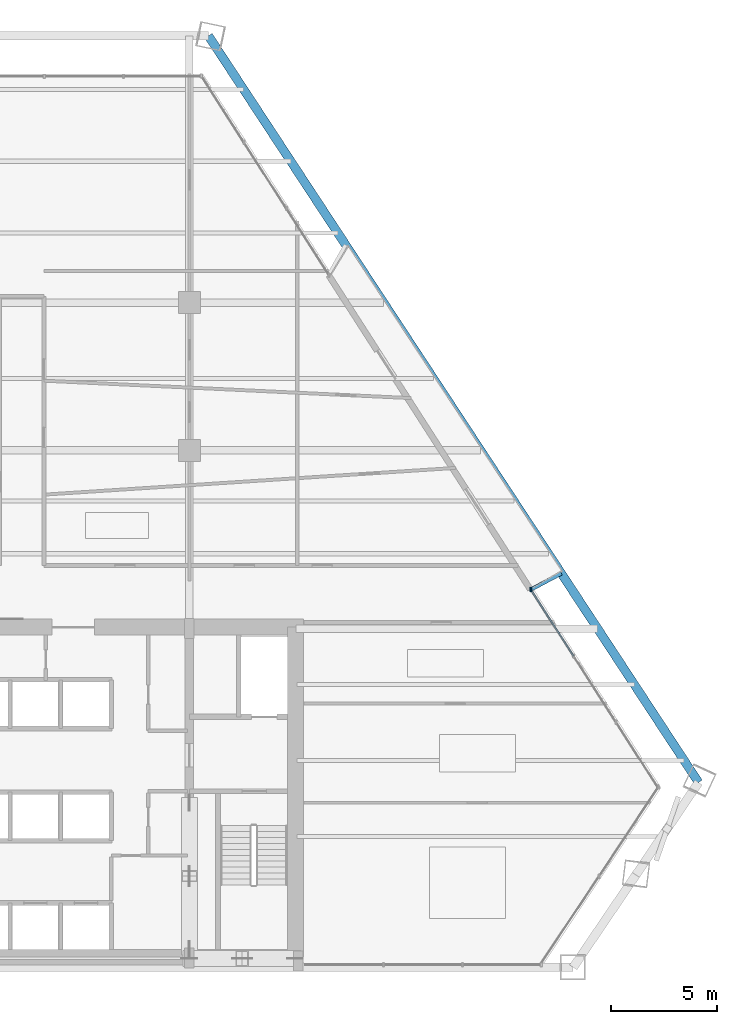
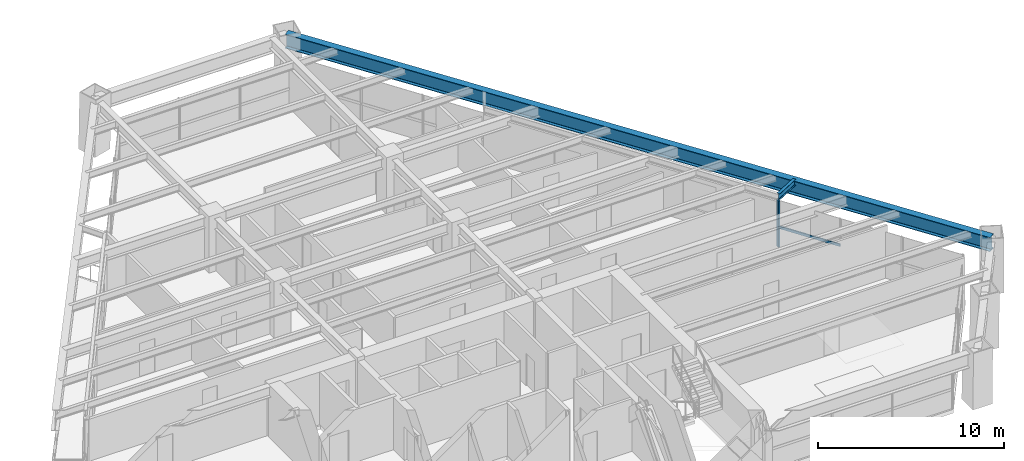
# One storey, part 7 of 14: 3 members, 2 beams, 1 element without a shape of its own.
"""IFC4 building model written with IfcOpenShell, lengths in metres."""

from ifc_helpers import new_model, si_unit, direction, frame, origin, origin_2d, place, context, subcontext, project, spatial, rectangle, i_section, extrude, source, transform, mapped, material, material_profile, profile_set, type_object, element, aggregate, save


model = new_model("IFC4")

# Units and contexts
model_context = context("Model", 3, precision=1e-05, world=origin(), true_north=direction((0.0, 1.0)))
body_context = subcontext(model_context, "Body", "Model", "MODEL_VIEW")
ifc_project = project(units=[si_unit("LENGTHUNIT", "METRE"), si_unit("AREAUNIT", "SQUARE_METRE"), si_unit("VOLUMEUNIT", "CUBIC_METRE"), si_unit("PLANEANGLEUNIT", "RADIAN"), si_unit("MASSUNIT", "GRAM", prefix="KILO")], contexts=[model_context])

# Site, building, storey
site_placement = place(None, origin())
site = spatial("IfcSite", under=ifc_project, at=site_placement, CompositionType="ELEMENT")
building_placement = place(site_placement, origin())
building = spatial("IfcBuilding", under=site, at=building_placement, Name="Varnakhor Terracotta Tower", CompositionType="ELEMENT")
storey_placement = place(building_placement, frame((0.0, 0.0, 113.60009765625)))
storey = spatial("IfcBuildingStorey", under=building, at=storey_placement, Name="L28", CompositionType="ELEMENT", Elevation=113.60009765625)

# Beam
ifc_material_1 = material(Name="Steel S355", Category="steel")
ifc_material_profile_1 = material_profile(ifc_material_1, i_section(OverallWidth=0.41796875, OverallDepth=0.927001953125, WebThickness=0.01904296875, FlangeThickness=0.031982421875, FilletRadius=0.01806640625, at=origin_2d()), Name="W36X231")
ifc_profile_set_1 = profile_set([ifc_material_profile_1], Name="Steel S355")
beam_type_1 = type_object("IfcBeamType", Name="BM-W36X231", PredefinedType="BEAM", material=ifc_profile_set_1)
shared_shape_1 = source(origin(), body_context, "Body", "SweptSolid", [
    extrude(i_section(OverallWidth=0.41796875, OverallDepth=0.927001953125, WebThickness=0.01904296875, FlangeThickness=0.031982421875, FilletRadius=0.01806640625, at=origin_2d()), origin(), (0.0, 0.0, 1.0), 42.32568359375),
])
beam_1_placement = place(storey_placement, frame((29.62890625, 8.76025390625, 2.986328125), z_axis=(-0.548770712761, 0.83597290914, 0.0), x_axis=(-0.83597290914, -0.548770712761, 0.0)))
element("IfcBeam", 1, at=beam_1_placement, inside=storey, type_object=beam_type_1, Name="L28 Perimeter Spandrel 4", PredefinedType="BEAM", context=body_context, shape_type="MappedRepresentation", body=[
    mapped(shared_shape_1, transform((0.0, 0.0, 0.0), scale=1.0)),
])

# Curtain wall, members
ifc_material_2 = material(Name="Anodised Aluminium Curtain Wall System", Category="aluminium")
curtain_wall_type = type_object("IfcCurtainWallType", Name="CW-SYS-LOW-OFFICE", PredefinedType="NOTDEFINED", material=ifc_material_2)
curtain_wall_placement = place(storey_placement, origin())
curtain_wall = element("IfcCurtainWall", 2, at=curtain_wall_placement, inside=storey, type_object=curtain_wall_type, Name="L28 E Facet Curtain Wall 2", PredefinedType="NOTDEFINED")
ifc_material_3 = material(Name="Anodised Aluminium 6063-T6", Category="aluminium")
ifc_material_profile_2 = material_profile(ifc_material_3, rectangle(XDim=0.074951171875, YDim=0.18505859375, at=origin_2d()), Name="ALU MULLION 75x185")
ifc_profile_set_2 = profile_set([ifc_material_profile_2], Name="Anodised Aluminium 6063-T6")
member_type_1 = type_object("IfcMemberType", Name="CWM-02", PredefinedType="MULLION", material=ifc_profile_set_2)
shared_shape_2 = source(origin(), body_context, "Body", "SweptSolid", [
    extrude(rectangle(XDim=0.074951171875, YDim=0.18505859375, at=origin_2d()), origin(), (0.0, 0.0, 1.0), 3.02978515625),
])
member_1_placement = place(storey_placement, frame((21.6884765625, 17.8955078125, 0.0), z_axis=(0.0, 0.0, 1.0), x_axis=(1.0, 0.0, 0.0)))
member_1 = element("IfcMember", 3, at=member_1_placement, type_object=member_type_1, Name="L28 E Facet Curtain Wall 2 Mullion 1", PredefinedType="MULLION", context=body_context, shape_type="MappedRepresentation", body=[
    mapped(shared_shape_2, transform((0.0, 0.0, 0.0), scale=1.0)),
])
member_2_placement = place(storey_placement, frame((21.655517578125, 17.909912109375, 0.0), z_axis=(0.0, 0.0, 1.0), x_axis=(1.0, 0.0, 0.0)))
member_2 = element("IfcMember", 4, at=member_2_placement, type_object=member_type_1, Name="L28 E Loggia Jamb Closure Mullion 2", PredefinedType="MULLION", context=body_context, shape_type="MappedRepresentation", body=[
    mapped(shared_shape_2, transform((0.0, 0.0, 0.0), scale=1.0)),
])
ifc_material_profile_3 = material_profile(ifc_material_3, rectangle(XDim=0.074951171875, YDim=0.1650390625, at=origin_2d()), Name="ALU TRANSOM 75x165")
ifc_profile_set_3 = profile_set([ifc_material_profile_3], Name="Anodised Aluminium 6063-T6")
member_type_2 = type_object("IfcMemberType", Name="CWT-02", PredefinedType="USERDEFINED", material=ifc_profile_set_3)
shared_shape_3 = source(origin(), body_context, "Body", "SweptSolid", [
    extrude(rectangle(XDim=0.074951171875, YDim=0.1650390625, at=origin_2d()), origin(), (0.0, 0.0, 1.0), 3.73046875),
])
member_3_placement = place(storey_placement, frame((21.6884765625, 17.8955078125, 1.2724609375), z_axis=(0.540132271647, -0.841580138267, 0.0), x_axis=(0.841580138267, 0.540132271647, 0.0)))
member_3 = element("IfcMember", 5, at=member_3_placement, type_object=member_type_2, Name="L28 E Facet Curtain Wall 2 Transom 1", ObjectType="TRANSOM", PredefinedType="USERDEFINED", context=body_context, shape_type="MappedRepresentation", body=[
    mapped(shared_shape_3, transform((0.0, 0.0, 0.0), scale=1.0)),
])
aggregate(curtain_wall, [member_1, member_3, member_2])

# Beam
ifc_material_profile_4 = material_profile(ifc_material_1, i_section(OverallWidth=0.179931640625, OverallDepth=0.39990234375, WebThickness=0.008544921875, FlangeThickness=0.013427734375, FilletRadius=0.01806640625, at=origin_2d()), Name="IPE400")
ifc_profile_set_4 = profile_set([ifc_material_profile_4], Name="Steel S355")
beam_type_2 = type_object("IfcBeamType", Name="JST-IPE400", PredefinedType="JOIST", material=ifc_profile_set_4)
shared_shape_4 = source(origin(), body_context, "Body", "SweptSolid", [
    extrude(i_section(OverallWidth=0.179931640625, OverallDepth=0.39990234375, WebThickness=0.008544921875, FlangeThickness=0.013427734375, FilletRadius=0.01806640625, at=origin_2d()), origin(), (0.0, 0.0, 1.0), 1.614013671875),
])
beam_2_placement = place(storey_placement, frame((21.69970703125, 17.91064453125, 3.25), z_axis=(0.883239074535, 0.468922954454, 0.0), x_axis=(-0.468922954454, 0.883239074535, 0.0)))
element("IfcBeam", 6, at=beam_2_placement, inside=storey, type_object=beam_type_2, Name="L29 E Loggia Tie Beam 2", PredefinedType="JOIST", context=body_context, shape_type="MappedRepresentation", body=[
    mapped(shared_shape_4, transform((0.0, 0.0, 0.0), scale=1.0)),
])

save(model, "model.ifc")
